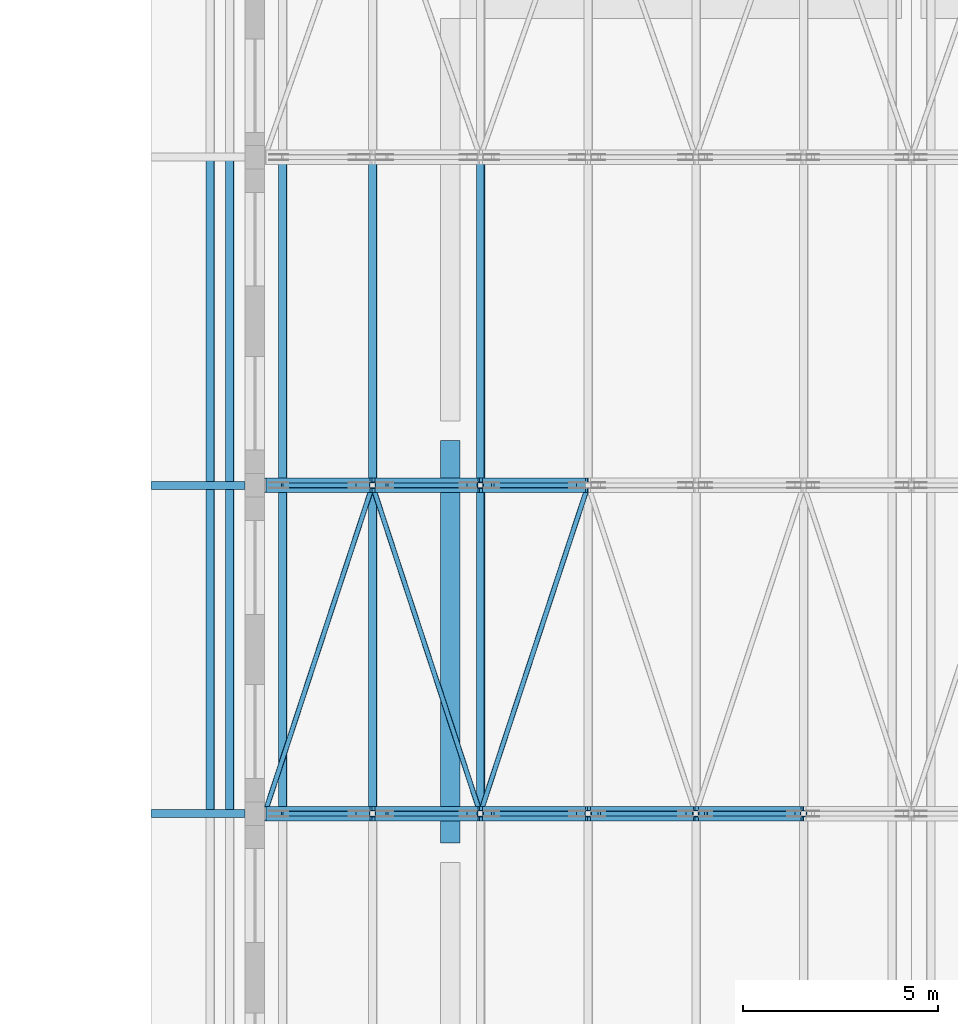
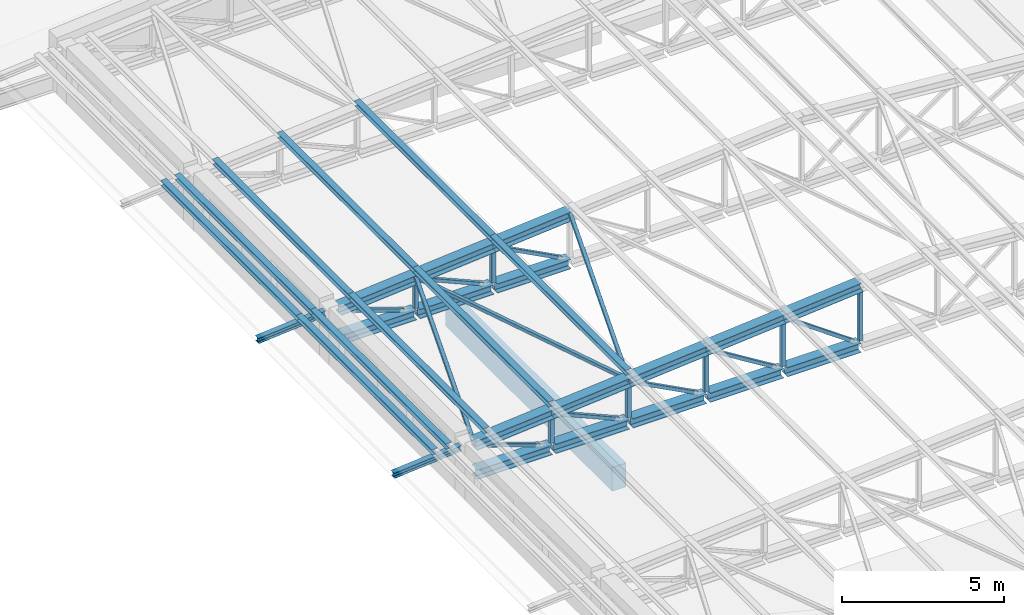
# One storey, part 12 of 60: 46 members, 1 beam.
"""IFC4 building model written with IfcOpenShell, lengths in metres."""

from ifc_helpers import new_model, si_unit, direction, frame, origin, origin_2d, place, context, subcontext, project, spatial, rectangle, hollow_rectangle, i_section, extrude, material, material_profile, profile_set, type_object, element, save


model = new_model("IFC4")

# Units and contexts
model_context = context("Model", 3, precision=1e-05, world=origin(), true_north=direction((0.0, 1.0)))
body_context = subcontext(model_context, "Body", "Model", "MODEL_VIEW")
ifc_project = project(units=[si_unit("LENGTHUNIT", "METRE"), si_unit("AREAUNIT", "SQUARE_METRE"), si_unit("VOLUMEUNIT", "CUBIC_METRE"), si_unit("PLANEANGLEUNIT", "RADIAN"), si_unit("MASSUNIT", "GRAM", prefix="KILO")], contexts=[model_context])

# Site, building, storey
site_placement = place(None, origin())
site = spatial("IfcSite", under=ifc_project, at=site_placement, CompositionType="ELEMENT")
building_placement = place(site_placement, origin())
building = spatial("IfcBuilding", under=site, at=building_placement, Name="Ljudholm Concert House", CompositionType="ELEMENT")
storey_placement = place(building_placement, frame((0.0, 0.0, 15.0)))
storey = spatial("IfcBuildingStorey", under=building, at=storey_placement, Name="L03", CompositionType="ELEMENT", Elevation=15.0)

# Beam
ifc_material_1 = material(Name="Concrete 6,500 psi", Category="concrete")
ifc_material_profile_1 = material_profile(ifc_material_1, rectangle(XDim=0.5, YDim=0.89990234375, at=origin_2d()), Name="RC BEAM 500x900")
ifc_profile_set_1 = profile_set([ifc_material_profile_1], Name="Concrete 6,500 psi")
beam_type = type_object("IfcBeamType", Name="RC BEAM 500x900", PredefinedType="BEAM", material=ifc_profile_set_1)
beam_placement = place(storey_placement, frame((17.39990234375, 20.050048828125, -0.699951171875), z_axis=(0.0, 1.0, 0.0), x_axis=(-1.0, 0.0, 0.0)))
element("IfcBeam", 1, at=beam_placement, inside=storey, type_object=beam_type, Name="Ring beam", PredefinedType="BEAM", context=body_context, shape_type="SweptSolid", body=[
    extrude(rectangle(XDim=0.5, YDim=0.89990234375, at=origin_2d()), origin(), (0.0, 0.0, 1.0), 10.300048828125),
])

# Members
ifc_material_2 = material(Name="Steel ASTM A500 Gr. C", Category="steel")
ifc_material_profile_2 = material_profile(ifc_material_2, hollow_rectangle(XDim=0.126953125, YDim=0.126953125, WallThickness=0.00732421875, InnerFilletRadius=0.003662109375, OuterFilletRadius=0.010986328125, at=origin_2d()), Name="HSS5X5X5/16")
ifc_profile_set_2 = profile_set([ifc_material_profile_2], Name="Steel ASTM A500 Gr. C")
member_type_1 = type_object("IfcMemberType", Name="STEEL MEMBER HSS5X5X5/16 BRACE", PredefinedType="BRACE", material=ifc_profile_set_2)
member_1_placement = place(storey_placement, frame((13.093994140625, 20.800048828125, 1.58447265625), z_axis=(0.945096021447, 0.0, -0.326792763453), x_axis=(0.0, 1.0, 0.0)))
element("IfcMember", 2, at=member_1_placement, inside=storey, type_object=member_type_1, Name="Roof truss T3 diagonal", PredefinedType="BRACE", context=body_context, shape_type="SweptSolid", body=[
    extrude(hollow_rectangle(XDim=0.126953125, YDim=0.126953125, WallThickness=0.00732421875, InnerFilletRadius=0.003662109375, OuterFilletRadius=0.010986328125, at=origin_2d()), origin(), (0.0, 0.0, 1.0), 1.97900390625),
])
member_2_placement = place(storey_placement, frame((15.777099609375, 20.800048828125, 1.816650390625), z_axis=(0.916733409918, 0.0, -0.399499505808), x_axis=(0.0, 1.0, 0.0)))
element("IfcMember", 3, at=member_2_placement, inside=storey, type_object=member_type_1, Name="Roof truss T3 diagonal", PredefinedType="BRACE", context=body_context, shape_type="SweptSolid", body=[
    extrude(hollow_rectangle(XDim=0.126953125, YDim=0.126953125, WallThickness=0.00732421875, InnerFilletRadius=0.003662109375, OuterFilletRadius=0.010986328125, at=origin_2d()), origin(), (0.0, 0.0, 1.0), 2.204345703125),
])
member_3_placement = place(storey_placement, frame((18.48583984375, 20.800048828125, 2.050048828125), z_axis=(0.884876217226, 0.0, -0.465826233898), x_axis=(0.0, 1.0, 0.0)))
element("IfcMember", 4, at=member_3_placement, inside=storey, type_object=member_type_1, Name="Roof truss T3 diagonal", PredefinedType="BRACE", context=body_context, shape_type="SweptSolid", body=[
    extrude(hollow_rectangle(XDim=0.126953125, YDim=0.126953125, WallThickness=0.00732421875, InnerFilletRadius=0.003662109375, OuterFilletRadius=0.010986328125, at=origin_2d()), origin(), (0.0, 0.0, 1.0), 2.395751953125),
])
member_4_placement = place(storey_placement, frame((21.20947265625, 20.800048828125, 2.2841796875), z_axis=(0.850800492384, 0.0, -0.525488841137), x_axis=(0.0, 1.0, 0.0)))
element("IfcMember", 5, at=member_4_placement, inside=storey, type_object=member_type_1, Name="Roof truss T3 diagonal", PredefinedType="BRACE", context=body_context, shape_type="SweptSolid", body=[
    extrude(hollow_rectangle(XDim=0.126953125, YDim=0.126953125, WallThickness=0.00732421875, InnerFilletRadius=0.003662109375, OuterFilletRadius=0.010986328125, at=origin_2d()), origin(), (0.0, 0.0, 1.0), 2.573486328125),
])
member_5_placement = place(storey_placement, frame((23.9423828125, 20.800048828125, 2.518798828125), z_axis=(0.815632982968, 0.0, -0.578569647574), x_axis=(0.0, 1.0, 0.0)))
element("IfcMember", 6, at=member_5_placement, inside=storey, type_object=member_type_1, Name="Roof truss T3 diagonal", PredefinedType="BRACE", context=body_context, shape_type="SweptSolid", body=[
    extrude(hollow_rectangle(XDim=0.126953125, YDim=0.126953125, WallThickness=0.00732421875, InnerFilletRadius=0.003662109375, OuterFilletRadius=0.010986328125, at=origin_2d()), origin(), (0.0, 0.0, 1.0), 2.74658203125),
])
member_6_placement = place(storey_placement, frame((13.093994140625, 29.199951171875, 1.58447265625), z_axis=(0.945096021447, 0.0, -0.326792763453), x_axis=(0.0, 1.0, 0.0)))
element("IfcMember", 7, at=member_6_placement, inside=storey, type_object=member_type_1, Name="Roof truss T4 diagonal", PredefinedType="BRACE", context=body_context, shape_type="SweptSolid", body=[
    extrude(hollow_rectangle(XDim=0.126953125, YDim=0.126953125, WallThickness=0.00732421875, InnerFilletRadius=0.003662109375, OuterFilletRadius=0.010986328125, at=origin_2d()), origin(), (0.0, 0.0, 1.0), 1.97900390625),
])
member_7_placement = place(storey_placement, frame((15.777099609375, 29.199951171875, 1.816650390625), z_axis=(0.916733409918, 0.0, -0.399499505808), x_axis=(0.0, 1.0, 0.0)))
element("IfcMember", 8, at=member_7_placement, inside=storey, type_object=member_type_1, Name="Roof truss T4 diagonal", PredefinedType="BRACE", context=body_context, shape_type="SweptSolid", body=[
    extrude(hollow_rectangle(XDim=0.126953125, YDim=0.126953125, WallThickness=0.00732421875, InnerFilletRadius=0.003662109375, OuterFilletRadius=0.010986328125, at=origin_2d()), origin(), (0.0, 0.0, 1.0), 2.204345703125),
])
member_8_placement = place(storey_placement, frame((18.48583984375, 29.199951171875, 2.050048828125), z_axis=(0.884876217226, 0.0, -0.465826233898), x_axis=(0.0, 1.0, 0.0)))
element("IfcMember", 9, at=member_8_placement, inside=storey, type_object=member_type_1, Name="Roof truss T4 diagonal", PredefinedType="BRACE", context=body_context, shape_type="SweptSolid", body=[
    extrude(hollow_rectangle(XDim=0.126953125, YDim=0.126953125, WallThickness=0.00732421875, InnerFilletRadius=0.003662109375, OuterFilletRadius=0.010986328125, at=origin_2d()), origin(), (0.0, 0.0, 1.0), 2.395751953125),
])
member_9_placement = place(storey_placement, frame((12.64990234375, 20.8056640625, 1.800048828125), z_axis=(0.312275932245, 0.949623951849, 0.026421434749), x_axis=(-0.949955588038, 0.312384988045, 0.0)))
element("IfcMember", 10, at=member_9_placement, inside=storey, type_object=member_type_1, Name="Roof bracing", PredefinedType="BRACE", context=body_context, shape_type="SweptSolid", body=[
    extrude(hollow_rectangle(XDim=0.126953125, YDim=0.126953125, WallThickness=0.00732421875, InnerFilletRadius=0.003662109375, OuterFilletRadius=0.010986328125, at=origin_2d()), origin(), (0.0, 0.0, 1.0), 8.833740234375),
])
for number, where, z_axis, x_axis, name in (
    (11, (15.408447265625, 29.1943359375, 2.033447265625), (0.31225121744, -0.949632840435, 0.026394044314), (0.94996379212, 0.312360038515, 0.0), "Roof bracing"),
    (12, (18.166748046875, 20.8056640625, 2.2666015625), (0.312250989542, 0.949632147342, 0.026421662772), (-0.94996379212, 0.312360038515, 0.0), "Roof bracing"),
):
    element("IfcMember", number, at=place(storey_placement, frame(where, z_axis=z_axis, x_axis=x_axis)), inside=storey, type_object=member_type_1, Name=name, PredefinedType="BRACE", context=body_context, shape_type="SweptSolid", body=[
        extrude(hollow_rectangle(XDim=0.126953125, YDim=0.126953125, WallThickness=0.00732421875, InnerFilletRadius=0.003662109375, OuterFilletRadius=0.010986328125, at=origin_2d()), origin(), (0.0, 0.0, 1.0), 8.83349609375),
    ])
ifc_material_3 = material(Name="Steel ASTM A500 Gr. C", Category="steel")
ifc_material_profile_3 = material_profile(ifc_material_3, hollow_rectangle(XDim=0.15234375, YDim=0.15234375, WallThickness=0.0087890625, InnerFilletRadius=0.00439453125, OuterFilletRadius=0.01318359375, at=origin_2d()), Name="HSS6X6X3/8")
ifc_profile_set_3 = profile_set([ifc_material_profile_3], Name="Steel ASTM A500 Gr. C")
member_type_2 = type_object("IfcMemberType", Name="STEEL MEMBER HSS6X6X3/8 POST", PredefinedType="POST", material=ifc_profile_set_3)
member_10_placement = place(storey_placement, frame((15.408447265625, 20.800048828125, 0.877685546875), z_axis=(0.0, 0.0, 1.0), x_axis=(1.0, 0.0, 0.0)))
element("IfcMember", 13, at=member_10_placement, inside=storey, type_object=member_type_2, Name="Roof truss T3 post", PredefinedType="POST", context=body_context, shape_type="SweptSolid", body=[
    extrude(hollow_rectangle(XDim=0.15234375, YDim=0.15234375, WallThickness=0.0087890625, InnerFilletRadius=0.00439453125, OuterFilletRadius=0.01318359375, at=origin_2d()), origin(), (0.0, 0.0, 1.0), 0.977294921875),
])
member_11_placement = place(storey_placement, frame((18.166748046875, 20.800048828125, 0.877685546875), z_axis=(0.0, 0.0, 1.0), x_axis=(1.0, 0.0, 0.0)))
element("IfcMember", 14, at=member_11_placement, inside=storey, type_object=member_type_2, Name="Roof truss T3 post", PredefinedType="POST", context=body_context, shape_type="SweptSolid", body=[
    extrude(hollow_rectangle(XDim=0.15234375, YDim=0.15234375, WallThickness=0.0087890625, InnerFilletRadius=0.00439453125, OuterFilletRadius=0.01318359375, at=origin_2d()), origin(), (0.0, 0.0, 1.0), 1.21044921875),
])
member_12_placement = place(storey_placement, frame((20.925048828125, 20.800048828125, 0.877685546875), z_axis=(0.0, 0.0, 1.0), x_axis=(1.0, 0.0, 0.0)))
element("IfcMember", 15, at=member_12_placement, inside=storey, type_object=member_type_2, Name="Roof truss T3 post", PredefinedType="POST", context=body_context, shape_type="SweptSolid", body=[
    extrude(hollow_rectangle(XDim=0.15234375, YDim=0.15234375, WallThickness=0.0087890625, InnerFilletRadius=0.00439453125, OuterFilletRadius=0.01318359375, at=origin_2d()), origin(), (0.0, 0.0, 1.0), 1.44384765625),
])
member_13_placement = place(storey_placement, frame((23.683349609375, 20.800048828125, 0.877685546875), z_axis=(0.0, 0.0, 1.0), x_axis=(1.0, 0.0, 0.0)))
element("IfcMember", 16, at=member_13_placement, inside=storey, type_object=member_type_2, Name="Roof truss T3 post", PredefinedType="POST", context=body_context, shape_type="SweptSolid", body=[
    extrude(hollow_rectangle(XDim=0.15234375, YDim=0.15234375, WallThickness=0.0087890625, InnerFilletRadius=0.00439453125, OuterFilletRadius=0.01318359375, at=origin_2d()), origin(), (0.0, 0.0, 1.0), 1.67724609375),
])
member_14_placement = place(storey_placement, frame((26.441650390625, 20.800048828125, 0.877685546875), z_axis=(0.0, 0.0, 1.0), x_axis=(1.0, 0.0, 0.0)))
element("IfcMember", 17, at=member_14_placement, inside=storey, type_object=member_type_2, Name="Roof truss T3 post", PredefinedType="POST", context=body_context, shape_type="SweptSolid", body=[
    extrude(hollow_rectangle(XDim=0.15234375, YDim=0.15234375, WallThickness=0.0087890625, InnerFilletRadius=0.00439453125, OuterFilletRadius=0.01318359375, at=origin_2d()), origin(), (0.0, 0.0, 1.0), 1.91064453125),
])
member_15_placement = place(storey_placement, frame((15.408447265625, 29.199951171875, 0.877685546875), z_axis=(0.0, 0.0, 1.0), x_axis=(1.0, 0.0, 0.0)))
element("IfcMember", 18, at=member_15_placement, inside=storey, type_object=member_type_2, Name="Roof truss T4 post", PredefinedType="POST", context=body_context, shape_type="SweptSolid", body=[
    extrude(hollow_rectangle(XDim=0.15234375, YDim=0.15234375, WallThickness=0.0087890625, InnerFilletRadius=0.00439453125, OuterFilletRadius=0.01318359375, at=origin_2d()), origin(), (0.0, 0.0, 1.0), 0.977294921875),
])
member_16_placement = place(storey_placement, frame((18.166748046875, 29.199951171875, 0.877685546875), z_axis=(0.0, 0.0, 1.0), x_axis=(1.0, 0.0, 0.0)))
element("IfcMember", 19, at=member_16_placement, inside=storey, type_object=member_type_2, Name="Roof truss T4 post", PredefinedType="POST", context=body_context, shape_type="SweptSolid", body=[
    extrude(hollow_rectangle(XDim=0.15234375, YDim=0.15234375, WallThickness=0.0087890625, InnerFilletRadius=0.00439453125, OuterFilletRadius=0.01318359375, at=origin_2d()), origin(), (0.0, 0.0, 1.0), 1.21044921875),
])
ifc_material_4 = material(Name="Steel ASTM A992", Category="steel")
ifc_material_profile_4 = material_profile(ifc_material_4, i_section(OverallWidth=0.368408203125, OverallDepth=0.355712890625, WebThickness=0.01123046875, FlangeThickness=0.01806640625, FilletRadius=0.01513671875, at=origin_2d()), Name="W14X90")
ifc_profile_set_4 = profile_set([ifc_material_profile_4], Name="Steel ASTM A992")
member_type_3 = type_object("IfcMemberType", Name="STEEL MEMBER W14X90 CHORD", PredefinedType="CHORD", material=ifc_profile_set_4)
member_17_placement = place(storey_placement, frame((12.64990234375, 20.800048828125, 1.800048828125), z_axis=(0.996439740606, 0.0, 0.084308026553), x_axis=(0.0, 1.0, 0.0)))
element("IfcMember", 20, at=member_17_placement, inside=storey, type_object=member_type_3, Name="Roof truss T3 top chord", PredefinedType="CHORD", context=body_context, shape_type="SweptSolid", body=[
    extrude(i_section(OverallWidth=0.368408203125, OverallDepth=0.355712890625, WebThickness=0.01123046875, FlangeThickness=0.01806640625, FilletRadius=0.01513671875, at=origin_2d()), origin(), (0.0, 0.0, 1.0), 2.768310546875),
])
member_18_placement = place(storey_placement, frame((12.679931640625, 20.800048828125, 0.699951171875), z_axis=(1.0, 0.0, 0.0), x_axis=(0.0, 1.0, 0.0)))
element("IfcMember", 21, at=member_18_placement, inside=storey, type_object=member_type_3, Name="Roof truss T3 bottom chord", PredefinedType="CHORD", context=body_context, shape_type="SweptSolid", body=[
    extrude(i_section(OverallWidth=0.368408203125, OverallDepth=0.355712890625, WebThickness=0.01123046875, FlangeThickness=0.01806640625, FilletRadius=0.01513671875, at=origin_2d()), origin(), (0.0, 0.0, 1.0), 2.66650390625),
])
member_19_placement = place(storey_placement, frame((15.408447265625, 20.800048828125, 2.033447265625), z_axis=(0.996446519711, 0.0, 0.084227865669), x_axis=(0.0, 1.0, 0.0)))
element("IfcMember", 22, at=member_19_placement, inside=storey, type_object=member_type_3, Name="Roof truss T3 top chord", PredefinedType="CHORD", context=body_context, shape_type="SweptSolid", body=[
    extrude(i_section(OverallWidth=0.368408203125, OverallDepth=0.355712890625, WebThickness=0.01123046875, FlangeThickness=0.01806640625, FilletRadius=0.01513671875, at=origin_2d()), origin(), (0.0, 0.0, 1.0), 2.76806640625),
])
member_20_placement = place(storey_placement, frame((15.47021484375, 20.800048828125, 0.699951171875), z_axis=(1.0, 0.0, 0.0), x_axis=(0.0, 1.0, 0.0)))
element("IfcMember", 23, at=member_20_placement, inside=storey, type_object=member_type_3, Name="Roof truss T3 bottom chord", PredefinedType="CHORD", context=body_context, shape_type="SweptSolid", body=[
    extrude(i_section(OverallWidth=0.368408203125, OverallDepth=0.355712890625, WebThickness=0.01123046875, FlangeThickness=0.01806640625, FilletRadius=0.01513671875, at=origin_2d()), origin(), (0.0, 0.0, 1.0), 2.634521484375),
])
member_21_placement = place(storey_placement, frame((18.166748046875, 20.800048828125, 2.2666015625), z_axis=(0.996439113695, 0.0, 0.084315435714), x_axis=(0.0, 1.0, 0.0)))
element("IfcMember", 24, at=member_21_placement, inside=storey, type_object=member_type_3, Name="Roof truss T3 top chord", PredefinedType="CHORD", context=body_context, shape_type="SweptSolid", body=[
    extrude(i_section(OverallWidth=0.368408203125, OverallDepth=0.355712890625, WebThickness=0.01123046875, FlangeThickness=0.01806640625, FilletRadius=0.01513671875, at=origin_2d()), origin(), (0.0, 0.0, 1.0), 2.76806640625),
])
member_22_placement = place(storey_placement, frame((18.228759765625, 20.800048828125, 0.699951171875), z_axis=(1.0, 0.0, 0.0), x_axis=(0.0, 1.0, 0.0)))
element("IfcMember", 25, at=member_22_placement, inside=storey, type_object=member_type_3, Name="Roof truss T3 bottom chord", PredefinedType="CHORD", context=body_context, shape_type="SweptSolid", body=[
    extrude(i_section(OverallWidth=0.368408203125, OverallDepth=0.355712890625, WebThickness=0.01123046875, FlangeThickness=0.01806640625, FilletRadius=0.01513671875, at=origin_2d()), origin(), (0.0, 0.0, 1.0), 2.63427734375),
])
member_23_placement = place(storey_placement, frame((20.925048828125, 20.800048828125, 2.5), z_axis=(0.996439113695, 0.0, 0.084315435714), x_axis=(0.0, 1.0, 0.0)))
element("IfcMember", 26, at=member_23_placement, inside=storey, type_object=member_type_3, Name="Roof truss T3 top chord", PredefinedType="CHORD", context=body_context, shape_type="SweptSolid", body=[
    extrude(i_section(OverallWidth=0.368408203125, OverallDepth=0.355712890625, WebThickness=0.01123046875, FlangeThickness=0.01806640625, FilletRadius=0.01513671875, at=origin_2d()), origin(), (0.0, 0.0, 1.0), 2.76806640625),
])
member_24_placement = place(storey_placement, frame((20.987060546875, 20.800048828125, 0.699951171875), z_axis=(1.0, 0.0, 0.0), x_axis=(0.0, 1.0, 0.0)))
element("IfcMember", 27, at=member_24_placement, inside=storey, type_object=member_type_3, Name="Roof truss T3 bottom chord", PredefinedType="CHORD", context=body_context, shape_type="SweptSolid", body=[
    extrude(i_section(OverallWidth=0.368408203125, OverallDepth=0.355712890625, WebThickness=0.01123046875, FlangeThickness=0.01806640625, FilletRadius=0.01513671875, at=origin_2d()), origin(), (0.0, 0.0, 1.0), 2.63427734375),
])
member_25_placement = place(storey_placement, frame((23.683349609375, 20.800048828125, 2.7333984375), z_axis=(0.996446519711, 0.0, 0.084227865669), x_axis=(0.0, 1.0, 0.0)))
element("IfcMember", 28, at=member_25_placement, inside=storey, type_object=member_type_3, Name="Roof truss T3 top chord", PredefinedType="CHORD", context=body_context, shape_type="SweptSolid", body=[
    extrude(i_section(OverallWidth=0.368408203125, OverallDepth=0.355712890625, WebThickness=0.01123046875, FlangeThickness=0.01806640625, FilletRadius=0.01513671875, at=origin_2d()), origin(), (0.0, 0.0, 1.0), 2.76806640625),
])
member_26_placement = place(storey_placement, frame((23.745361328125, 20.800048828125, 0.699951171875), z_axis=(1.0, 0.0, 0.0), x_axis=(0.0, 1.0, 0.0)))
element("IfcMember", 29, at=member_26_placement, inside=storey, type_object=member_type_3, Name="Roof truss T3 bottom chord", PredefinedType="CHORD", context=body_context, shape_type="SweptSolid", body=[
    extrude(i_section(OverallWidth=0.368408203125, OverallDepth=0.355712890625, WebThickness=0.01123046875, FlangeThickness=0.01806640625, FilletRadius=0.01513671875, at=origin_2d()), origin(), (0.0, 0.0, 1.0), 2.63427734375),
])
member_27_placement = place(storey_placement, frame((12.64990234375, 29.199951171875, 1.800048828125), z_axis=(0.996439740606, 0.0, 0.084308026553), x_axis=(0.0, 1.0, 0.0)))
element("IfcMember", 30, at=member_27_placement, inside=storey, type_object=member_type_3, Name="Roof truss T4 top chord", PredefinedType="CHORD", context=body_context, shape_type="SweptSolid", body=[
    extrude(i_section(OverallWidth=0.368408203125, OverallDepth=0.355712890625, WebThickness=0.01123046875, FlangeThickness=0.01806640625, FilletRadius=0.01513671875, at=origin_2d()), origin(), (0.0, 0.0, 1.0), 2.768310546875),
])
member_28_placement = place(storey_placement, frame((12.679931640625, 29.199951171875, 0.699951171875), z_axis=(1.0, 0.0, 0.0), x_axis=(0.0, 1.0, 0.0)))
element("IfcMember", 31, at=member_28_placement, inside=storey, type_object=member_type_3, Name="Roof truss T4 bottom chord", PredefinedType="CHORD", context=body_context, shape_type="SweptSolid", body=[
    extrude(i_section(OverallWidth=0.368408203125, OverallDepth=0.355712890625, WebThickness=0.01123046875, FlangeThickness=0.01806640625, FilletRadius=0.01513671875, at=origin_2d()), origin(), (0.0, 0.0, 1.0), 2.66650390625),
])
member_29_placement = place(storey_placement, frame((15.408447265625, 29.199951171875, 2.033447265625), z_axis=(0.996446519711, 0.0, 0.084227865669), x_axis=(0.0, 1.0, 0.0)))
element("IfcMember", 32, at=member_29_placement, inside=storey, type_object=member_type_3, Name="Roof truss T4 top chord", PredefinedType="CHORD", context=body_context, shape_type="SweptSolid", body=[
    extrude(i_section(OverallWidth=0.368408203125, OverallDepth=0.355712890625, WebThickness=0.01123046875, FlangeThickness=0.01806640625, FilletRadius=0.01513671875, at=origin_2d()), origin(), (0.0, 0.0, 1.0), 2.76806640625),
])
member_30_placement = place(storey_placement, frame((15.47021484375, 29.199951171875, 0.699951171875), z_axis=(1.0, 0.0, 0.0), x_axis=(0.0, 1.0, 0.0)))
element("IfcMember", 33, at=member_30_placement, inside=storey, type_object=member_type_3, Name="Roof truss T4 bottom chord", PredefinedType="CHORD", context=body_context, shape_type="SweptSolid", body=[
    extrude(i_section(OverallWidth=0.368408203125, OverallDepth=0.355712890625, WebThickness=0.01123046875, FlangeThickness=0.01806640625, FilletRadius=0.01513671875, at=origin_2d()), origin(), (0.0, 0.0, 1.0), 2.634521484375),
])
member_31_placement = place(storey_placement, frame((18.166748046875, 29.199951171875, 2.2666015625), z_axis=(0.996439113695, 0.0, 0.084315435714), x_axis=(0.0, 1.0, 0.0)))
element("IfcMember", 34, at=member_31_placement, inside=storey, type_object=member_type_3, Name="Roof truss T4 top chord", PredefinedType="CHORD", context=body_context, shape_type="SweptSolid", body=[
    extrude(i_section(OverallWidth=0.368408203125, OverallDepth=0.355712890625, WebThickness=0.01123046875, FlangeThickness=0.01806640625, FilletRadius=0.01513671875, at=origin_2d()), origin(), (0.0, 0.0, 1.0), 2.76806640625),
])
member_32_placement = place(storey_placement, frame((18.228759765625, 29.199951171875, 0.699951171875), z_axis=(1.0, 0.0, 0.0), x_axis=(0.0, 1.0, 0.0)))
element("IfcMember", 35, at=member_32_placement, inside=storey, type_object=member_type_3, Name="Roof truss T4 bottom chord", PredefinedType="CHORD", context=body_context, shape_type="SweptSolid", body=[
    extrude(i_section(OverallWidth=0.368408203125, OverallDepth=0.355712890625, WebThickness=0.01123046875, FlangeThickness=0.01806640625, FilletRadius=0.01513671875, at=origin_2d()), origin(), (0.0, 0.0, 1.0), 2.63427734375),
])
ifc_material_5 = material(Name="Steel ASTM A992", Category="steel")
ifc_material_profile_5 = material_profile(ifc_material_5, i_section(OverallWidth=0.203125, OverallDepth=0.203125, WebThickness=0.00732421875, FlangeThickness=0.010986328125, FilletRadius=0.010009765625, at=origin_2d()), Name="W8X31")
ifc_profile_set_5 = profile_set([ifc_material_profile_5], Name="Steel ASTM A992")
member_type_4 = type_object("IfcMemberType", Name="STEEL MEMBER W8X31 PURLIN", PredefinedType="PURLIN", material=ifc_profile_set_5)
for number, where, z_axis, x_axis, name in (
    (36, (13.108642578125, 20.800048828125, 2.119140625), (0.0, 1.0, 0.0), (-0.996441172925, 0.0, -0.084291096202), "Purlin"),
    (37, (15.4169921875, 20.800048828125, 2.314453125), (0.0, 1.0, 0.0), (-0.996441172925, 0.0, -0.084291096202), "Purlin"),
    (38, (18.17529296875, 20.800048828125, 2.5478515625), (0.0, 1.0, 0.0), (-0.996441172925, 0.0, -0.084291096202), "Purlin"),
):
    element("IfcMember", number, at=place(storey_placement, frame(where, z_axis=z_axis, x_axis=x_axis)), inside=storey, type_object=member_type_4, Name=name, PredefinedType="PURLIN", context=body_context, shape_type="SweptSolid", body=[
        extrude(i_section(OverallWidth=0.203125, OverallDepth=0.203125, WebThickness=0.00732421875, FlangeThickness=0.010986328125, FilletRadius=0.010009765625, at=origin_2d()), origin(), (0.0, 0.0, 1.0), 8.39990234375),
    ])
for number, where, z_axis, x_axis, name in (
    (39, (13.108642578125, 29.199951171875, 2.119140625), (0.0, 1.0, 0.0), (-0.996441172925, 0.0, -0.084291096202), "Purlin"),
    (40, (15.4169921875, 29.199951171875, 2.314453125), (0.0, 1.0, 0.0), (-0.996441172925, 0.0, -0.084291096202), "Purlin"),
    (41, (18.17529296875, 29.199951171875, 2.5478515625), (0.0, 1.0, 0.0), (-0.996441172925, 0.0, -0.084291096202), "Purlin"),
):
    element("IfcMember", number, at=place(storey_placement, frame(where, z_axis=z_axis, x_axis=x_axis)), inside=storey, type_object=member_type_4, Name=name, PredefinedType="PURLIN", context=body_context, shape_type="SweptSolid", body=[
        extrude(i_section(OverallWidth=0.203125, OverallDepth=0.203125, WebThickness=0.00732421875, FlangeThickness=0.010986328125, FilletRadius=0.010009765625, at=origin_2d()), origin(), (0.0, 0.0, 1.0), 8.400146484375),
    ])
for number, where, z_axis, x_axis, name in (
    (42, (11.758544921875, 20.800048828125, 2.0048828125), (0.0, 1.0, 0.0), (-0.996441172925, 0.0, -0.084291096202), "Purlin"),
    (43, (11.258544921875, 20.800048828125, 1.962646484375), (0.0, 1.0, 0.0), (-0.996441172925, 0.0, -0.084291096202), "Purlin"),
):
    element("IfcMember", number, at=place(storey_placement, frame(where, z_axis=z_axis, x_axis=x_axis)), inside=storey, type_object=member_type_4, Name=name, PredefinedType="PURLIN", context=body_context, shape_type="SweptSolid", body=[
        extrude(i_section(OverallWidth=0.203125, OverallDepth=0.203125, WebThickness=0.00732421875, FlangeThickness=0.010986328125, FilletRadius=0.010009765625, at=origin_2d()), origin(), (0.0, 0.0, 1.0), 8.39990234375),
    ])
for number, where, z_axis, x_axis, name in (
    (44, (11.758544921875, 29.199951171875, 2.0048828125), (0.0, 1.0, 0.0), (-0.996441172925, 0.0, -0.084291096202), "Purlin"),
    (45, (11.258544921875, 29.199951171875, 1.962646484375), (0.0, 1.0, 0.0), (-0.996441172925, 0.0, -0.084291096202), "Purlin"),
):
    element("IfcMember", number, at=place(storey_placement, frame(where, z_axis=z_axis, x_axis=x_axis)), inside=storey, type_object=member_type_4, Name=name, PredefinedType="PURLIN", context=body_context, shape_type="SweptSolid", body=[
        extrude(i_section(OverallWidth=0.203125, OverallDepth=0.203125, WebThickness=0.00732421875, FlangeThickness=0.010986328125, FilletRadius=0.010009765625, at=origin_2d()), origin(), (0.0, 0.0, 1.0), 8.400146484375),
    ])
ifc_material_6 = material(Name="Steel ASTM A992", Category="steel")
ifc_material_profile_6 = material_profile(ifc_material_6, i_section(OverallWidth=0.203125, OverallDepth=0.203125, WebThickness=0.00732421875, FlangeThickness=0.010986328125, FilletRadius=0.010009765625, at=origin_2d()), Name="W8X31")
ifc_profile_set_6 = profile_set([ifc_material_profile_6], Name="Steel ASTM A992")
member_type_5 = type_object("IfcMemberType", Name="STEEL MEMBER W8X31 RAFTER", PredefinedType="RAFTER", material=ifc_profile_set_6)
for number, where, z_axis, x_axis, name in (
    (46, (9.75, 20.800048828125, 1.631103515625), (0.996437262136, 0.0, 0.084337314557), (0.0, 1.0, 0.0), "Eave rafter tail"),
    (47, (9.75, 29.199951171875, 1.631103515625), (0.996437262136, 0.0, 0.084337314557), (0.0, 1.0, 0.0), "Eave rafter tail"),
):
    element("IfcMember", number, at=place(storey_placement, frame(where, z_axis=z_axis, x_axis=x_axis)), inside=storey, type_object=member_type_5, Name=name, PredefinedType="RAFTER", context=body_context, shape_type="SweptSolid", body=[
        extrude(i_section(OverallWidth=0.203125, OverallDepth=0.203125, WebThickness=0.00732421875, FlangeThickness=0.010986328125, FilletRadius=0.010009765625, at=origin_2d()), origin(), (0.0, 0.0, 1.0), 2.408447265625),
    ])

save(model, "model.ifc")
